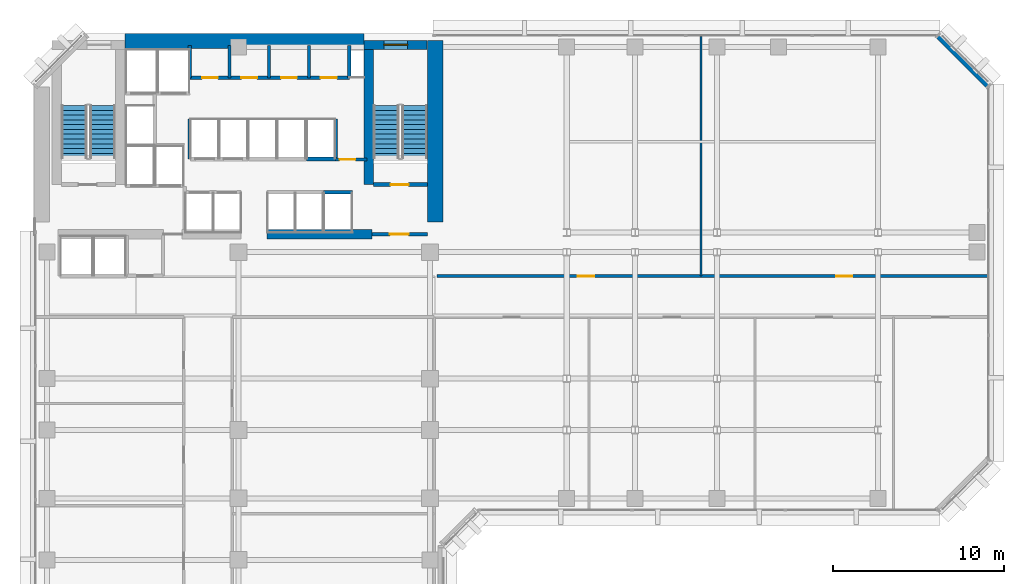
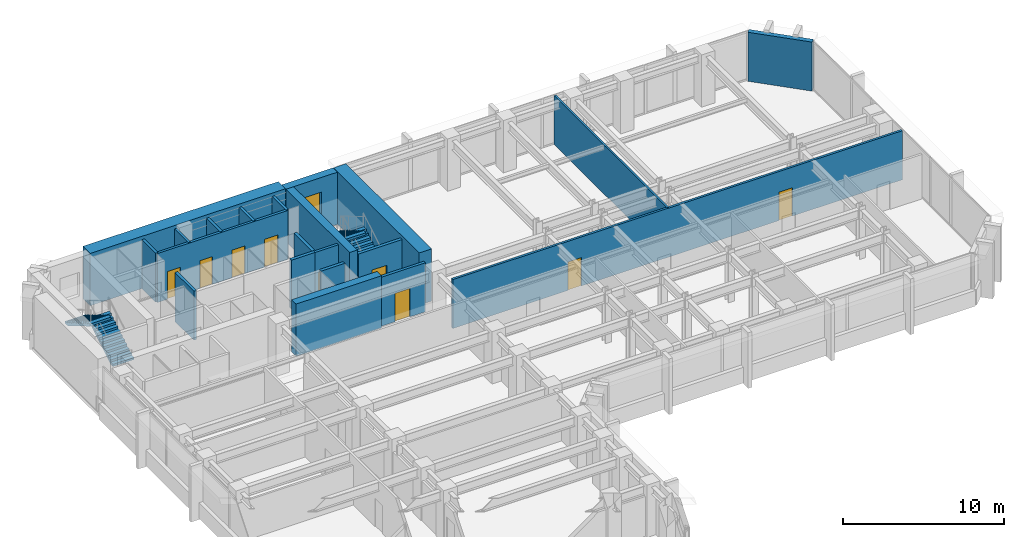
# One storey, part 8 of 13: 21 walls, 9 doors, 4 stair flights, 1 window, 10 openings, 2 elements without a shape of their own.
"""IFC4 building model written with IfcOpenShell, lengths in metres."""

from ifc_helpers import new_model, si_unit, direction, frame, frame_2d, origin, place, context, subcontext, project, spatial, polyline, rectangle, outline, extrude, material, layer, layer_set, type_object, element, fill, aggregate, save


model = new_model("IFC4")

# Units and contexts
model_context = context("Model", 3, precision=1e-05, world=origin(), true_north=direction((0.0, 1.0)))
body_context = subcontext(model_context, "Body", "Model", "MODEL_VIEW")
ifc_project = project(units=[si_unit("LENGTHUNIT", "METRE"), si_unit("AREAUNIT", "SQUARE_METRE"), si_unit("VOLUMEUNIT", "CUBIC_METRE"), si_unit("PLANEANGLEUNIT", "RADIAN"), si_unit("MASSUNIT", "GRAM", prefix="KILO")], contexts=[model_context])

# Site, building, storey
site_placement = place(None, origin())
site = spatial("IfcSite", under=ifc_project, at=site_placement, CompositionType="ELEMENT")
building_placement = place(site_placement, origin())
building = spatial("IfcBuilding", under=site, at=building_placement, Name="Kefirva Bronze Tower", CompositionType="ELEMENT")
storey_placement = place(building_placement, frame((0.0, 0.0, 102.6298828125)))
storey = spatial("IfcBuildingStorey", under=building, at=storey_placement, Name="L24", CompositionType="ELEMENT", Elevation=102.6298828125)

# Wall
ifc_material_1 = material(Name="Gypsum acoustic partition")
ifc_layer_1 = layer(ifc_material_1, 0.1298828125, Name="Gypsum acoustic partition")
ifc_layer_set_1 = layer_set([ifc_layer_1], Name="Gypsum acoustic partition")
wall_type_1 = type_object("IfcWallType", Name="Acoustic Office Partition 130mm", PredefinedType="PARTITIONING", material=ifc_layer_set_1)
wall_1_placement = place(storey_placement, frame((39.060791015625, 31.800048828125, 0.0), z_axis=(0.0, 0.0, 1.0), x_axis=(0.0, 1.0, 0.0)))
element("IfcWall", 1, at=wall_1_placement, inside=storey, type_object=wall_type_1, Name="L24 Partition W-L24-END1", PredefinedType="PARTITIONING", context=body_context, shape_type="SweptSolid", body=[
    extrude(rectangle(XDim=14.010009765625, YDim=0.1298828125, at=frame_2d((7.0048828125, 0.0))), origin(), (0.0, 0.0, 1.0), 3.710205078125),
])

# Wall, opening, door
ifc_material_2 = material(Name="Gypsum fireboard shaftwall")
ifc_layer_2 = layer(ifc_material_2, 0.219970703125, Name="Gypsum fireboard shaftwall")
ifc_layer_set_2 = layer_set([ifc_layer_2], Name="Gypsum fireboard shaftwall")
wall_type_2 = type_object("IfcWallType", Name="Fire-Rated Shaft Enclosure Wall 220mm", PredefinedType="PARTITIONING", material=ifc_layer_set_2)
wall_2_placement = place(storey_placement, frame((19.89990234375, 37.14990234375, 0.0), z_axis=(0.0, 0.0, 1.0), x_axis=(1.0, 0.0, 0.0)))
wall_2 = element("IfcWall", 2, at=wall_2_placement, inside=storey, type_object=wall_type_2, Name="L24 Partition W-L24-ST2S", PredefinedType="PARTITIONING", context=body_context, shape_type="SweptSolid", body=[
    extrude(rectangle(XDim=3.150146484375, YDim=0.219970703125, at=frame_2d((1.5751953125, 0.0))), origin(), (0.0, 0.0, 1.0), 3.710205078125),
])
opening_1_placement = place(wall_2_placement, frame((2.050048828125, 0.0, 0.0), z_axis=(0.0, 0.0, 1.0), x_axis=(-1.0, 0.0, 0.0)))
opening_1 = element("IfcOpeningElement", 3, at=opening_1_placement, cuts=wall_2, Name="Opening L24-D003", PredefinedType="OPENING", context=body_context, shape_type="SweptSolid", body=[
    extrude(rectangle(XDim=1.050048828125, YDim=2.14990234375, at=frame_2d((0.52490234375, 1.074951171875))), frame((0.0, 0.1201171875, 0.0), z_axis=(0.0, -1.0, 0.0), x_axis=(1.0, 0.0, 0.0)), (0.0, 0.0, 1.0), 0.239990234375),
])
ifc_material_3 = material(Name="Painted galvanized steel", Category="steel")
door_type_1 = type_object("IfcDoorType", Name="Fire Stair Enclosure Door 1050x2150 FD90S", OperationType="NOTDEFINED", PredefinedType="DOOR", material=ifc_material_3)
door_1_placement = place(opening_1_placement, origin())
door_1 = element("IfcDoor", 4, at=door_1_placement, inside=storey, type_object=door_type_1, Name="Door L24-D003", OperationType="SINGLE_SWING_RIGHT", OverallHeight=2.14990234375, OverallWidth=1.050048828125, PredefinedType="DOOR", context=body_context, shape_type="SweptSolid", body=[
    extrude(rectangle(XDim=1.050048828125, YDim=2.14990234375, at=frame_2d((0.52490234375, 1.074951171875))), frame((0.0, 0.02490234375, 0.0), z_axis=(0.0, -1.0, 0.0), x_axis=(1.0, 0.0, 0.0)), (0.0, 0.0, 1.0), 0.050048828125),
])
fill(opening_1, door_1)

# Walls
for number, where, z_axis, x_axis, name in (
    (5, (9.159912109375, 38.64990234375, 0.0), (0.0, 0.0, 1.0), (0.0, 1.0, 0.0), "L24 Partition W-L24-LP3W"),
    (6, (17.679931640625, 38.64990234375, 0.0), (0.0, 0.0, 1.0), (0.0, 1.0, 0.0), "L24 Partition W-L24-HP2E"),
):
    element("IfcWall", number, at=place(storey_placement, frame(where, z_axis=z_axis, x_axis=x_axis)), inside=storey, type_object=wall_type_2, Name=name, PredefinedType="PARTITIONING", context=body_context, shape_type="SweptSolid", body=[
        extrude(rectangle(XDim=2.35009765625, YDim=0.199951171875, at=frame_2d((1.175048828125, 0.0))), origin(), (0.0, 0.0, 1.0), 3.710205078125),
    ])
wall_3_placement = place(storey_placement, frame((16.97998046875, 36.699951171875, 0.0), z_axis=(0.0, 0.0, 1.0), x_axis=(1.0, 0.0, 0.0)))
element("IfcWall", 7, at=wall_3_placement, inside=storey, type_object=wall_type_2, Name="L24 Partition W-L24-HPS", PredefinedType="PARTITIONING", context=body_context, shape_type="SweptSolid", body=[
    extrude(rectangle(XDim=1.699951171875, YDim=0.219970703125, at=frame_2d((0.85009765625, 0.0))), origin(), (0.0, 0.0, 1.0), 3.710205078125),
])
wall_4_placement = place(storey_placement, frame((15.97998046875, 38.64990234375, 0.0), z_axis=(0.0, 0.0, 1.0), x_axis=(1.0, 0.0, 0.0)))
element("IfcWall", 8, at=wall_4_placement, inside=storey, type_object=wall_type_2, Name="L24 Partition W-L24-HPN", PredefinedType="PARTITIONING", context=body_context, shape_type="SweptSolid", body=[
    extrude(rectangle(XDim=1.719970703125, YDim=0.219970703125, at=frame_2d((0.85986328125, 0.0))), origin(), (0.0, 0.0, 1.0), 3.710205078125),
])

# Wall, opening, door
ifc_material_4 = material(Name="Gypsum fireboard barrier")
ifc_layer_3 = layer(ifc_material_4, 0.199951171875, Name="Gypsum fireboard barrier")
ifc_layer_set_3 = layer_set([ifc_layer_3], Name="Gypsum fireboard barrier")
wall_type_3 = type_object("IfcWallType", Name="Firefighting Lobby Barrier Wall 200mm", PredefinedType="PARTITIONING", material=ifc_layer_set_3)
wall_5_placement = place(storey_placement, frame((19.800048828125, 34.25, 0.0), z_axis=(0.0, 0.0, 1.0), x_axis=(1.0, 0.0, 0.0)))
wall_5 = element("IfcWall", 9, at=wall_5_placement, inside=storey, type_object=wall_type_3, Name="L24 Partition W-L24-ST2F", PredefinedType="PARTITIONING", context=body_context, shape_type="SweptSolid", body=[
    extrude(rectangle(XDim=3.25, YDim=0.199951171875, at=frame_2d((1.625, 0.0))), origin(), (0.0, 0.0, 1.0), 3.710205078125),
])
opening_2_placement = place(wall_5_placement, frame((2.150146484375, 0.0, 0.0), z_axis=(0.0, 0.0, 1.0), x_axis=(-1.0, 0.0, 0.0)))
opening_2 = element("IfcOpeningElement", 10, at=opening_2_placement, cuts=wall_5, Name="Opening L24-D004", PredefinedType="OPENING", context=body_context, shape_type="SweptSolid", body=[
    extrude(rectangle(XDim=1.10009765625, YDim=2.14990234375, at=frame_2d((0.550048828125, 1.074951171875))), frame((0.0, 0.10986328125, 0.0), z_axis=(0.0, -1.0, 0.0), x_axis=(1.0, 0.0, 0.0)), (0.0, 0.0, 1.0), 0.219970703125),
])
door_type_2 = type_object("IfcDoorType", Name="Firefighting Lobby Smoke Door 1100x2150 FD60S", OperationType="NOTDEFINED", PredefinedType="DOOR", material=ifc_material_3)
door_2_placement = place(opening_2_placement, origin())
door_2 = element("IfcDoor", 11, at=door_2_placement, inside=storey, type_object=door_type_2, Name="Door L24-D004", OperationType="SINGLE_SWING_LEFT", OverallHeight=2.14990234375, OverallWidth=1.10009765625, PredefinedType="DOOR", context=body_context, shape_type="SweptSolid", body=[
    extrude(rectangle(XDim=1.10009765625, YDim=2.14990234375, at=frame_2d((0.550048828125, 1.074951171875))), frame((0.0, 0.02490234375, 0.0), z_axis=(0.0, -1.0, 0.0), x_axis=(1.0, 0.0, 0.0)), (0.0, 0.0, 1.0), 0.050048828125),
])
fill(opening_2, door_2)

wall_6_placement = place(storey_placement, frame((17.679931640625, 38.6201171875, 0.0), z_axis=(0.0, 0.0, 1.0), x_axis=(1.0, 0.0, 0.0)))
wall_6 = element("IfcWall", 12, at=wall_6_placement, inside=storey, type_object=wall_type_3, Name="L24 Partition W-L24-CPASS", PredefinedType="PARTITIONING", context=body_context, shape_type="SweptSolid", body=[
    extrude(rectangle(XDim=1.840087890625, YDim=0.179931640625, at=frame_2d((0.919921875, 0.0))), origin(), (0.0, 0.0, 1.0), 3.710205078125),
])
opening_3_placement = place(wall_6_placement, frame((0.239990234375, 0.0, 0.0)))
opening_3 = element("IfcOpeningElement", 13, at=opening_3_placement, cuts=wall_6, Name="Opening L24-D-CPAS", PredefinedType="OPENING", context=body_context, shape_type="SweptSolid", body=[
    extrude(rectangle(XDim=0.919921875, YDim=2.10009765625, at=frame_2d((0.4599609375, 1.050048828125))), frame((0.0, 0.10009765625, 0.0), z_axis=(0.0, -1.0, 0.0), x_axis=(1.0, 0.0, 0.0)), (0.0, 0.0, 1.0), 0.199951171875),
])
ifc_material_5 = material(Name="Moisture-resistant timber", Category="wood")
door_type_3 = type_object("IfcDoorType", Name="Accessible Sanitary & WC Door 920x2100", OperationType="NOTDEFINED", PredefinedType="DOOR", material=ifc_material_5)
door_3_placement = place(opening_3_placement, origin())
door_3 = element("IfcDoor", 14, at=door_3_placement, inside=storey, type_object=door_type_3, Name="Door L24-D-CPAS", OperationType="SINGLE_SWING_RIGHT", OverallHeight=2.10009765625, OverallWidth=0.919921875, PredefinedType="DOOR", context=body_context, shape_type="SweptSolid", body=[
    extrude(rectangle(XDim=0.919921875, YDim=2.10009765625, at=frame_2d((0.4599609375, 1.050048828125))), frame((0.0, 0.02490234375, 0.0), z_axis=(0.0, -1.0, 0.0), x_axis=(1.0, 0.0, 0.0)), (0.0, 0.0, 1.0), 0.050048828125),
])
fill(opening_3, door_3)

# Wall
ifc_material_6 = material(Name="Precast concrete C40/50", Category="concrete")
ifc_layer_4 = layer(ifc_material_6, 0.320068359375, Name="Precast concrete C40/50")
ifc_layer_set_4 = layer_set([ifc_layer_4], Name="Precast concrete C40/50")
wall_type_4 = type_object("IfcWallType", Name="Precast Insulated Exterior Wall 320mm", PredefinedType="SOLIDWALL", material=ifc_layer_set_4)
wall_7_placement = place(storey_placement, frame((55.847900390625, 42.92578125, 0.0), z_axis=(0.0, 0.0, 1.0), x_axis=(-0.707106781187, 0.707106781187, 0.0)))
element("IfcWall", 15, at=wall_7_placement, inside=storey, type_object=wall_type_4, Name="L24 Exterior Facade Wall 8", PredefinedType="SOLIDWALL", context=body_context, shape_type="SweptSolid", body=[
    extrude(rectangle(XDim=4.132568359375, YDim=0.320068359375, at=frame_2d((2.06640625, 0.0))), origin(), (0.0, 0.0, 1.0), 3.710205078125),
])

# Wall, openings, doors
ifc_layer_5 = layer(ifc_material_1, 0.159912109375, Name="Gypsum acoustic partition")
ifc_layer_set_5 = layer_set([ifc_layer_5], Name="Gypsum acoustic partition")
wall_type_5 = type_object("IfcWallType", Name="Protected Corridor Partition 160mm", PredefinedType="PARTITIONING", material=ifc_layer_set_5)
wall_8_placement = place(storey_placement, frame((23.60009765625, 31.800048828125, 0.0), z_axis=(0.0, 0.0, 1.0), x_axis=(1.0, 0.0, 0.0)))
wall_8 = element("IfcWall", 16, at=wall_8_placement, inside=storey, type_object=wall_type_5, Name="L24 Partition W-L24-EWN", PredefinedType="PARTITIONING", context=body_context, shape_type="SweptSolid", body=[
    extrude(rectangle(XDim=32.2099609375, YDim=0.159912109375, at=frame_2d((16.10498046875, 0.0))), origin(), (0.0, 0.0, 1.0), 3.710205078125),
])
opening_4_placement = place(wall_8_placement, frame((8.25537109375, 0.0, 0.0)))
opening_4 = element("IfcOpeningElement", 17, at=opening_4_placement, cuts=wall_8, Name="Opening L24-D-EN1", PredefinedType="OPENING", context=body_context, shape_type="SweptSolid", body=[
    extrude(rectangle(XDim=0.949951171875, YDim=2.14990234375, at=frame_2d((0.47509765625, 1.074951171875))), frame((0.0, 0.08984375, 0.0), z_axis=(0.0, -1.0, 0.0), x_axis=(1.0, 0.0, 0.0)), (0.0, 0.0, 1.0), 0.179931640625),
])
opening_5_placement = place(wall_8_placement, frame((23.3603515625, 0.0, 0.0)))
opening_5 = element("IfcOpeningElement", 18, at=opening_5_placement, cuts=wall_8, Name="Opening L24-D-EN2", PredefinedType="OPENING", context=body_context, shape_type="SweptSolid", body=[
    extrude(rectangle(XDim=0.949951171875, YDim=2.14990234375, at=frame_2d((0.47509765625, 1.074951171875))), frame((0.0, 0.08984375, 0.0), z_axis=(0.0, -1.0, 0.0), x_axis=(1.0, 0.0, 0.0)), (0.0, 0.0, 1.0), 0.179931640625),
])
ifc_material_7 = material(Name="Acoustic hardwood oak", Category="wood")
door_type_4 = type_object("IfcDoorType", Name="Office & Meeting Room Door 950x2150", OperationType="NOTDEFINED", PredefinedType="DOOR", material=ifc_material_7)
door_4_placement = place(opening_4_placement, origin())
door_4 = element("IfcDoor", 19, at=door_4_placement, inside=storey, type_object=door_type_4, Name="Door L24-D-EN1", OperationType="SINGLE_SWING_RIGHT", OverallHeight=2.14990234375, OverallWidth=0.949951171875, PredefinedType="DOOR", context=body_context, shape_type="SweptSolid", body=[
    extrude(rectangle(XDim=0.949951171875, YDim=2.14990234375, at=frame_2d((0.47509765625, 1.074951171875))), frame((0.0, 0.02490234375, 0.0), z_axis=(0.0, -1.0, 0.0), x_axis=(1.0, 0.0, 0.0)), (0.0, 0.0, 1.0), 0.050048828125),
])
fill(opening_4, door_4)
door_5_placement = place(opening_5_placement, origin())
door_5 = element("IfcDoor", 20, at=door_5_placement, inside=storey, type_object=door_type_4, Name="Door L24-D-EN2", OperationType="SINGLE_SWING_LEFT", OverallHeight=2.14990234375, OverallWidth=0.949951171875, PredefinedType="DOOR", context=body_context, shape_type="SweptSolid", body=[
    extrude(rectangle(XDim=0.949951171875, YDim=2.14990234375, at=frame_2d((0.47509765625, 1.074951171875))), frame((0.0, 0.02490234375, 0.0), z_axis=(0.0, -1.0, 0.0), x_axis=(1.0, 0.0, 0.0)), (0.0, 0.0, 1.0), 0.050048828125),
])
fill(opening_5, door_5)

# Wall, opening, window
ifc_material_8 = material(Name="Concrete C50/60", Category="concrete")
ifc_layer_6 = layer(ifc_material_8, 0.550048828125, Name="Concrete C50/60")
ifc_layer_set_6 = layer_set([ifc_layer_6], Name="Concrete C50/60")
wall_type_6 = type_object("IfcWallType", Name="RC Rear Core Exterior Wall 550mm", PredefinedType="SHEAR", material=ifc_layer_set_6)
wall_9_placement = place(storey_placement, frame((19.35009765625, 45.320068359375, 0.0), z_axis=(0.0, 0.0, 1.0), x_axis=(1.0, 0.0, 0.0)))
wall_9 = element("IfcWall", 21, at=wall_9_placement, inside=storey, type_object=wall_type_6, Name="L24 Stair 2 North Shear Wall", PredefinedType="SHEAR", context=body_context, shape_type="SweptSolid", body=[
    extrude(rectangle(XDim=3.68994140625, YDim=0.550048828125, at=frame_2d((1.844970703125, 0.0))), origin(), (0.0, 0.0, 1.0), 3.960205078125),
])
opening_6_placement = place(wall_9_placement, frame((1.14990234375, 0.0, 1.050048828125)))
opening_6 = element("IfcOpeningElement", 22, at=opening_6_placement, cuts=wall_9, Name="Opening WN-03", PredefinedType="OPENING", context=body_context, shape_type="SweptSolid", body=[
    extrude(rectangle(XDim=1.39990234375, YDim=1.800048828125, at=frame_2d((0.699951171875, 0.89990234375))), frame((0.0, 0.28515625, 0.0), z_axis=(0.0, -1.0, 0.0), x_axis=(1.0, 0.0, 0.0)), (0.0, 0.0, 1.0), 0.570068359375),
])
ifc_material_9 = material(Name="Laminated low-E double glazing", Category="glass")
window_type = type_object("IfcWindowType", Name="Rear-Core Stair Daylight Window 1400x1800", PartitioningType="SINGLE_PANEL", PredefinedType="WINDOW", material=ifc_material_9)
window_placement = place(opening_6_placement, origin())
window = element("IfcWindow", 23, at=window_placement, inside=storey, type_object=window_type, Name="L24 Stair 2 Daylight Window", OverallHeight=1.800048828125, OverallWidth=1.39990234375, PartitioningType="SINGLE_PANEL", PredefinedType="WINDOW", context=body_context, shape_type="SweptSolid", body=[
    extrude(rectangle(XDim=1.39990234375, YDim=1.800048828125, at=frame_2d((0.699951171875, 0.89990234375))), frame((0.0, 0.030029296875, 0.0), z_axis=(0.0, -1.0, 0.0), x_axis=(1.0, 0.0, 0.0)), (0.0, 0.0, 1.0), 0.06005859375),
])
fill(opening_6, window)

# Walls
ifc_material_10 = material(Name="Concrete C60/75", Category="concrete")
ifc_layer_7 = layer(ifc_material_10, 0.89990234375, Name="Concrete C60/75")
ifc_layer_set_7 = layer_set([ifc_layer_7], Name="Concrete C60/75")
wall_type_7 = type_object("IfcWallType", Name="RC Rear Core Exterior Wall 900mm", PredefinedType="SHEAR", material=ifc_layer_set_7)
wall_10_placement = place(storey_placement, frame((5.360107421875, 45.550048828125, 0.0), z_axis=(0.0, 0.0, 1.0), x_axis=(1.0, 0.0, 0.0)))
element("IfcWall", 24, at=wall_10_placement, inside=storey, type_object=wall_type_7, Name="L24 Rear Core North Shear Wall", PredefinedType="SHEAR", context=body_context, shape_type="SweptSolid", body=[
    extrude(rectangle(XDim=13.97998046875, YDim=0.89990234375, at=frame_2d((6.989990234375, 0.0))), origin(), (0.0, 0.0, 1.0), 3.960205078125),
])
ifc_layer_8 = layer(ifc_material_8, 0.550048828125, Name="Concrete C50/60")
ifc_layer_set_8 = layer_set([ifc_layer_8], Name="Concrete C50/60")
wall_type_8 = type_object("IfcWallType", Name="RC Rear Core Interior Wall 550mm", PredefinedType="SHEAR", material=ifc_layer_set_8)
wall_11_placement = place(storey_placement, frame((19.6201171875, 37.14990234375, 0.0), z_axis=(0.0, 0.0, 1.0), x_axis=(0.0, 1.0, 0.0)))
element("IfcWall", 25, at=wall_11_placement, inside=storey, type_object=wall_type_8, Name="L24 Stair 2 West Shear Wall", PredefinedType="SHEAR", context=body_context, shape_type="SweptSolid", body=[
    extrude(rectangle(XDim=7.89013671875, YDim=0.550048828125, at=frame_2d((3.945068359375, 0.0))), origin(), (0.0, 0.0, 1.0), 3.960205078125),
])
ifc_layer_9 = layer(ifc_material_10, 0.89990234375, Name="Concrete C60/75")
ifc_layer_set_9 = layer_set([ifc_layer_9], Name="Concrete C60/75")
wall_type_9 = type_object("IfcWallType", Name="RC Rear Core Interior Wall 900mm", PredefinedType="SHEAR", material=ifc_layer_set_9)
wall_12_placement = place(storey_placement, frame((23.5, 34.949951171875, 0.0), z_axis=(0.0, 0.0, 1.0), x_axis=(0.0, 1.0, 0.0)))
element("IfcWall", 26, at=wall_12_placement, inside=storey, type_object=wall_type_9, Name="L24 Rear Core East Shear Wall", PredefinedType="SHEAR", context=body_context, shape_type="SweptSolid", body=[
    extrude(rectangle(XDim=10.64013671875, YDim=0.89990234375, at=frame_2d((5.320068359375, 0.0))), origin(), (0.0, 0.0, 1.0), 3.960205078125),
])
wall_13_placement = place(storey_placement, frame((13.679931640625, 34.25, 0.0), z_axis=(0.0, 0.0, 1.0), x_axis=(1.0, 0.0, 0.0)))
element("IfcWall", 27, at=wall_13_placement, inside=storey, type_object=wall_type_9, Name="L24 Rear Core South-East Shear Wall", PredefinedType="SHEAR", context=body_context, shape_type="SweptSolid", body=[
    extrude(rectangle(XDim=6.1201171875, YDim=0.550048828125, at=frame_2d((3.06005859375, 0.0))), origin(), (0.0, 0.0, 1.0), 3.960205078125),
])

# Wall, openings, doors
ifc_material_11 = material(Name="Moisture-resistant partition")
ifc_layer_10 = layer(ifc_material_11, 0.179931640625, Name="Moisture-resistant partition")
ifc_layer_set_10 = layer_set([ifc_layer_10], Name="Moisture-resistant partition")
wall_type_10 = type_object("IfcWallType", Name="Sanitary Plumbing Chase Wall 180mm", PredefinedType="PLUMBINGWALL", material=ifc_layer_set_10)
wall_14_placement = place(storey_placement, frame((9.14990234375, 43.39990234375, 0.0), z_axis=(0.0, 0.0, 1.0), x_axis=(1.0, 0.0, 0.0)))
wall_14 = element("IfcWall", 28, at=wall_14_placement, inside=storey, type_object=wall_type_10, Name="L24 Partition W-L24-SVCS", PredefinedType="PLUMBINGWALL", context=body_context, shape_type="SweptSolid", body=[
    extrude(rectangle(XDim=9.330078125, YDim=0.179931640625, at=frame_2d((4.6650390625, 0.0))), origin(), (0.0, 0.0, 1.0), 3.710205078125),
])
opening_7_placement = place(wall_14_placement, frame((0.719970703125, 0.0, 0.0)))
opening_7 = element("IfcOpeningElement", 29, at=opening_7_placement, cuts=wall_14, Name="Opening L24-D-CSVC1", PredefinedType="OPENING", context=body_context, shape_type="SweptSolid", body=[
    extrude(rectangle(XDim=0.919921875, YDim=2.10009765625, at=frame_2d((0.4599609375, 1.050048828125))), frame((0.0, 0.10009765625, 0.0), z_axis=(0.0, -1.0, 0.0), x_axis=(1.0, 0.0, 0.0)), (0.0, 0.0, 1.0), 0.199951171875),
])
opening_8_placement = place(wall_14_placement, frame((3.02001953125, 0.0, 0.0)))
opening_8 = element("IfcOpeningElement", 30, at=opening_8_placement, cuts=wall_14, Name="Opening L24-D-CSVC2", PredefinedType="OPENING", context=body_context, shape_type="SweptSolid", body=[
    extrude(rectangle(XDim=0.919921875, YDim=2.10009765625, at=frame_2d((0.4599609375, 1.050048828125))), frame((0.0, 0.10009765625, 0.0), z_axis=(0.0, -1.0, 0.0), x_axis=(1.0, 0.0, 0.0)), (0.0, 0.0, 1.0), 0.199951171875),
])
opening_9_placement = place(wall_14_placement, frame((5.340087890625, 0.0, 0.0)))
opening_9 = element("IfcOpeningElement", 31, at=opening_9_placement, cuts=wall_14, Name="Opening L24-D-CSVC3", PredefinedType="OPENING", context=body_context, shape_type="SweptSolid", body=[
    extrude(rectangle(XDim=0.919921875, YDim=2.10009765625, at=frame_2d((0.4599609375, 1.050048828125))), frame((0.0, 0.10009765625, 0.0), z_axis=(0.0, -1.0, 0.0), x_axis=(1.0, 0.0, 0.0)), (0.0, 0.0, 1.0), 0.199951171875),
])
opening_10_placement = place(wall_14_placement, frame((7.659912109375, 0.0, 0.0)))
opening_10 = element("IfcOpeningElement", 32, at=opening_10_placement, cuts=wall_14, Name="Opening L24-D-CSVC4", PredefinedType="OPENING", context=body_context, shape_type="SweptSolid", body=[
    extrude(rectangle(XDim=0.949951171875, YDim=2.10009765625, at=frame_2d((0.47509765625, 1.050048828125))), frame((0.0, 0.10009765625, 0.0), z_axis=(0.0, -1.0, 0.0), x_axis=(1.0, 0.0, 0.0)), (0.0, 0.0, 1.0), 0.199951171875),
])
door_6_placement = place(opening_7_placement, origin())
door_6 = element("IfcDoor", 33, at=door_6_placement, inside=storey, type_object=door_type_3, Name="Door L24-D-CSVC1", OperationType="SINGLE_SWING_RIGHT", OverallHeight=2.10009765625, OverallWidth=0.919921875, PredefinedType="DOOR", context=body_context, shape_type="SweptSolid", body=[
    extrude(rectangle(XDim=0.919921875, YDim=2.10009765625, at=frame_2d((0.4599609375, 1.050048828125))), frame((0.0, 0.02490234375, 0.0), z_axis=(0.0, -1.0, 0.0), x_axis=(1.0, 0.0, 0.0)), (0.0, 0.0, 1.0), 0.050048828125),
])
fill(opening_7, door_6)
door_7_placement = place(opening_8_placement, origin())
door_7 = element("IfcDoor", 34, at=door_7_placement, inside=storey, type_object=door_type_3, Name="Door L24-D-CSVC2", OperationType="SINGLE_SWING_LEFT", OverallHeight=2.10009765625, OverallWidth=0.919921875, PredefinedType="DOOR", context=body_context, shape_type="SweptSolid", body=[
    extrude(rectangle(XDim=0.919921875, YDim=2.10009765625, at=frame_2d((0.4599609375, 1.050048828125))), frame((0.0, 0.02490234375, 0.0), z_axis=(0.0, -1.0, 0.0), x_axis=(1.0, 0.0, 0.0)), (0.0, 0.0, 1.0), 0.050048828125),
])
fill(opening_8, door_7)
door_8_placement = place(opening_9_placement, origin())
door_8 = element("IfcDoor", 35, at=door_8_placement, inside=storey, type_object=door_type_3, Name="Door L24-D-CSVC3", OperationType="SINGLE_SWING_RIGHT", OverallHeight=2.10009765625, OverallWidth=0.919921875, PredefinedType="DOOR", context=body_context, shape_type="SweptSolid", body=[
    extrude(rectangle(XDim=0.919921875, YDim=2.10009765625, at=frame_2d((0.4599609375, 1.050048828125))), frame((0.0, 0.02490234375, 0.0), z_axis=(0.0, -1.0, 0.0), x_axis=(1.0, 0.0, 0.0)), (0.0, 0.0, 1.0), 0.050048828125),
])
fill(opening_9, door_8)
door_type_5 = type_object("IfcDoorType", Name="Riser & Plant Shaft Fire Door 950x2100 FD60S", OperationType="NOTDEFINED", PredefinedType="DOOR", material=ifc_material_3)
door_9_placement = place(opening_10_placement, origin())
door_9 = element("IfcDoor", 36, at=door_9_placement, inside=storey, type_object=door_type_5, Name="Door L24-D-CSVC4", OperationType="SINGLE_SWING_LEFT", OverallHeight=2.10009765625, OverallWidth=0.949951171875, PredefinedType="DOOR", context=body_context, shape_type="SweptSolid", body=[
    extrude(rectangle(XDim=0.949951171875, YDim=2.10009765625, at=frame_2d((0.47509765625, 1.050048828125))), frame((0.0, 0.02490234375, 0.0), z_axis=(0.0, -1.0, 0.0), x_axis=(1.0, 0.0, 0.0)), (0.0, 0.0, 1.0), 0.050048828125),
])
fill(opening_10, door_9)

# Walls
for number, where, z_axis, x_axis, name in (
    (37, (9.14990234375, 43.39990234375, 0.0), (0.0, 0.0, 1.0), (0.0, 1.0, 0.0), "L24 Partition W-L24-SVCW"),
    (38, (18.47998046875, 43.39990234375, 0.0), (0.0, 0.0, 1.0), (0.0, 1.0, 0.0), "L24 Partition W-L24-SVCE"),
    (39, (11.47998046875, 43.39990234375, 0.0), (0.0, 0.0, 1.0), (0.0, 1.0, 0.0), "L24 Partition W-L24-CSVD-1"),
    (40, (13.780029296875, 43.39990234375, 0.0), (0.0, 0.0, 1.0), (0.0, 1.0, 0.0), "L24 Partition W-L24-CSVD-2"),
    (41, (16.1201171875, 43.39990234375, 0.0), (0.0, 0.0, 1.0), (0.0, 1.0, 0.0), "L24 Partition W-L24-CSVD-3"),
):
    element("IfcWall", number, at=place(storey_placement, frame(where, z_axis=z_axis, x_axis=x_axis)), inside=storey, type_object=wall_type_10, Name=name, PredefinedType="PLUMBINGWALL", context=body_context, shape_type="SweptSolid", body=[
        extrude(rectangle(XDim=1.880126953125, YDim=0.179931640625, at=frame_2d((0.93994140625, 0.0))), origin(), (0.0, 0.0, 1.0), 3.710205078125),
    ])

# Stair, stair flights
ifc_material_12 = material(Name="Concrete C40/50", Category="concrete")
stair_type = type_object("IfcStairType", Name="RC Dogleg Protected Stair 24R", PredefinedType="HALF_TURN_STAIR", material=ifc_material_12)
stair_1_placement = place(storey_placement, origin())
stair_1 = element("IfcStair", 42, at=stair_1_placement, inside=storey, type_object=stair_type, Name="L24 Protected Exit Stair 1", PredefinedType="HALF_TURN_STAIR")
stair_flight_type = type_object("IfcStairFlightType", Name="RC Straight Stair Flight 24R", PredefinedType="STRAIGHT", material=ifc_material_12)
stair_flight_1_placement = place(storey_placement, frame((4.050048828125, 38.699951171875, 0.0), z_axis=(0.0, 0.0, 1.0), x_axis=(0.0, 1.0, 0.0)))
stair_flight_1 = element("IfcStairFlight", 43, at=stair_flight_1_placement, type_object=stair_flight_type, Name="ST-1 flight 1", NumberOfRisers=12, NumberOfTreads=11, PredefinedType="STRAIGHT", RiserHeight=0.165, TreadLength=0.28, context=body_context, shape_type="SweptSolid", body=[
    extrude(outline(polyline([(0.0, 0.0), (0.0, 0.1650390625), (0.280029296875, 0.1650390625), (0.280029296875, 0.330078125), (0.56005859375, 0.330078125), (0.56005859375, 0.4951171875), (0.840087890625, 0.4951171875), (0.840087890625, 0.659912109375), (1.1201171875, 0.659912109375), (1.1201171875, 0.824951171875), (1.39990234375, 0.824951171875), (1.39990234375, 0.989990234375), (1.679931640625, 0.989990234375), (1.679931640625, 1.155029296875), (1.9599609375, 1.155029296875), (1.9599609375, 1.320068359375), (2.239990234375, 1.320068359375), (2.239990234375, 1.485107421875), (2.52001953125, 1.485107421875), (2.52001953125, 1.64990234375), (2.800048828125, 1.64990234375), (2.800048828125, 1.81494140625), (3.080078125, 1.81494140625), (3.080078125, 1.97998046875), (3.080078125, 1.64111328125), (0.295166015625, 0.0), (0.0, 0.0)])), frame((0.0, 0.75, 0.0), z_axis=(0.0, -1.0, 0.0), x_axis=(1.0, 0.0, 0.0)), (0.0, 0.0, 1.0), 1.5),
])
stair_flight_2_placement = place(storey_placement, frame((2.39990234375, 41.780029296875, 1.980224609375), z_axis=(0.0, 0.0, 1.0), x_axis=(0.0, -1.0, 0.0)))
stair_flight_2 = element("IfcStairFlight", 44, at=stair_flight_2_placement, type_object=stair_flight_type, Name="ST-1 flight 2", NumberOfRisers=12, NumberOfTreads=11, PredefinedType="STRAIGHT", RiserHeight=0.165, TreadLength=0.28, context=body_context, shape_type="SweptSolid", body=[
    extrude(outline(polyline([(0.0, 0.0), (0.0, 0.1650390625), (0.280029296875, 0.1650390625), (0.280029296875, 0.330078125), (0.56005859375, 0.330078125), (0.56005859375, 0.4951171875), (0.840087890625, 0.4951171875), (0.840087890625, 0.659912109375), (1.1201171875, 0.659912109375), (1.1201171875, 0.824951171875), (1.39990234375, 0.824951171875), (1.39990234375, 0.989990234375), (1.679931640625, 0.989990234375), (1.679931640625, 1.155029296875), (1.9599609375, 1.155029296875), (1.9599609375, 1.320068359375), (2.239990234375, 1.320068359375), (2.239990234375, 1.485107421875), (2.52001953125, 1.485107421875), (2.52001953125, 1.64990234375), (2.800048828125, 1.64990234375), (2.800048828125, 1.81494140625), (3.080078125, 1.81494140625), (3.080078125, 1.97998046875), (3.080078125, 1.64111328125), (0.295166015625, 0.0), (0.0, 0.0)])), frame((0.0, 0.75, 0.0), z_axis=(0.0, -1.0, 0.0), x_axis=(1.0, 0.0, 0.0)), (0.0, 0.0, 1.0), 1.5),
])
aggregate(stair_1, [stair_flight_1, stair_flight_2])

stair_2_placement = place(storey_placement, origin())
stair_2 = element("IfcStair", 45, at=stair_2_placement, inside=storey, type_object=stair_type, Name="L24 Protected Exit Stair 2", PredefinedType="HALF_TURN_STAIR")
stair_flight_3_placement = place(storey_placement, frame((22.300048828125, 38.699951171875, 0.0), z_axis=(0.0, 0.0, 1.0), x_axis=(0.0, 1.0, 0.0)))
stair_flight_3 = element("IfcStairFlight", 46, at=stair_flight_3_placement, type_object=stair_flight_type, Name="ST-2 flight 1", NumberOfRisers=12, NumberOfTreads=11, PredefinedType="STRAIGHT", RiserHeight=0.165, TreadLength=0.28, context=body_context, shape_type="SweptSolid", body=[
    extrude(outline(polyline([(0.0, 0.0), (0.0, 0.1650390625), (0.280029296875, 0.1650390625), (0.280029296875, 0.330078125), (0.56005859375, 0.330078125), (0.56005859375, 0.4951171875), (0.840087890625, 0.4951171875), (0.840087890625, 0.659912109375), (1.1201171875, 0.659912109375), (1.1201171875, 0.824951171875), (1.39990234375, 0.824951171875), (1.39990234375, 0.989990234375), (1.679931640625, 0.989990234375), (1.679931640625, 1.155029296875), (1.9599609375, 1.155029296875), (1.9599609375, 1.320068359375), (2.239990234375, 1.320068359375), (2.239990234375, 1.485107421875), (2.52001953125, 1.485107421875), (2.52001953125, 1.64990234375), (2.800048828125, 1.64990234375), (2.800048828125, 1.81494140625), (3.080078125, 1.81494140625), (3.080078125, 1.97998046875), (3.080078125, 1.64111328125), (0.295166015625, 0.0), (0.0, 0.0)])), frame((0.0, 0.75, 0.0), z_axis=(0.0, -1.0, 0.0), x_axis=(1.0, 0.0, 0.0)), (0.0, 0.0, 1.0), 1.5),
])
stair_flight_4_placement = place(storey_placement, frame((20.64990234375, 41.780029296875, 1.980224609375), z_axis=(0.0, 0.0, 1.0), x_axis=(0.0, -1.0, 0.0)))
stair_flight_4 = element("IfcStairFlight", 47, at=stair_flight_4_placement, type_object=stair_flight_type, Name="ST-2 flight 2", NumberOfRisers=12, NumberOfTreads=11, PredefinedType="STRAIGHT", RiserHeight=0.165, TreadLength=0.28, context=body_context, shape_type="SweptSolid", body=[
    extrude(outline(polyline([(0.0, 0.0), (0.0, 0.1650390625), (0.280029296875, 0.1650390625), (0.280029296875, 0.330078125), (0.56005859375, 0.330078125), (0.56005859375, 0.4951171875), (0.840087890625, 0.4951171875), (0.840087890625, 0.659912109375), (1.1201171875, 0.659912109375), (1.1201171875, 0.824951171875), (1.39990234375, 0.824951171875), (1.39990234375, 0.989990234375), (1.679931640625, 0.989990234375), (1.679931640625, 1.155029296875), (1.9599609375, 1.155029296875), (1.9599609375, 1.320068359375), (2.239990234375, 1.320068359375), (2.239990234375, 1.485107421875), (2.52001953125, 1.485107421875), (2.52001953125, 1.64990234375), (2.800048828125, 1.64990234375), (2.800048828125, 1.81494140625), (3.080078125, 1.81494140625), (3.080078125, 1.97998046875), (3.080078125, 1.64111328125), (0.295166015625, 0.0), (0.0, 0.0)])), frame((0.0, 0.75, 0.0), z_axis=(0.0, -1.0, 0.0), x_axis=(1.0, 0.0, 0.0)), (0.0, 0.0, 1.0), 1.5),
])
aggregate(stair_2, [stair_flight_3, stair_flight_4])

save(model, "model.ifc")
